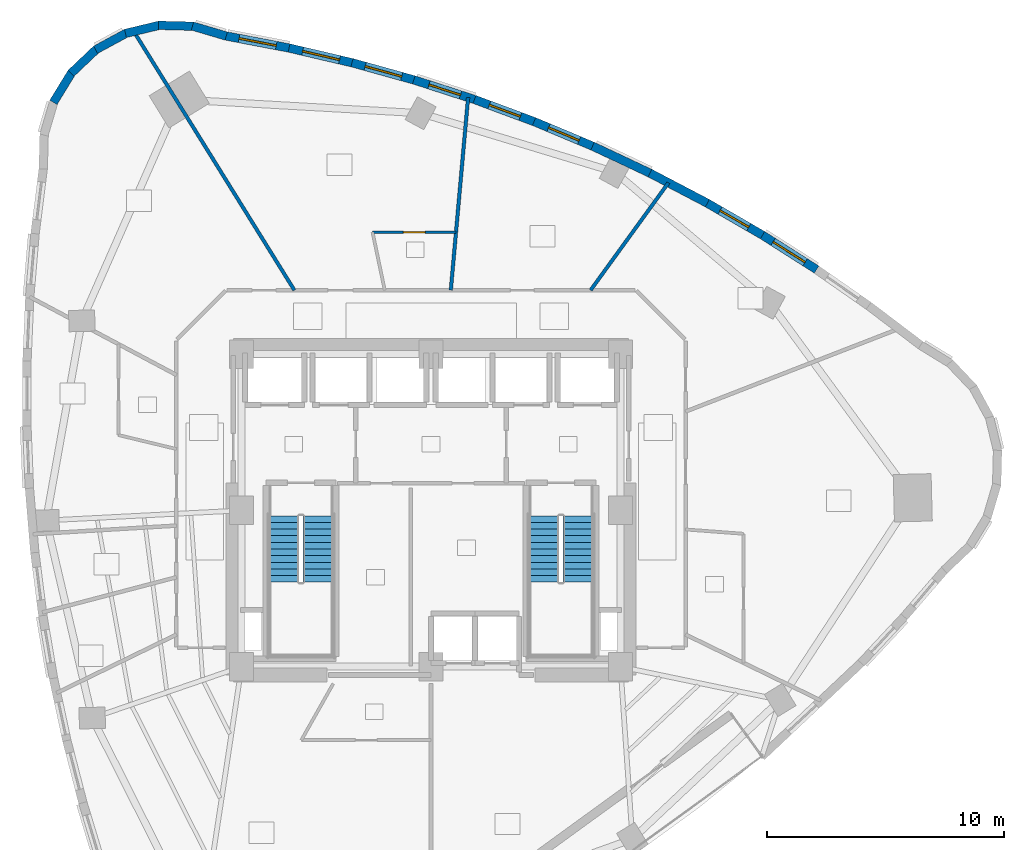
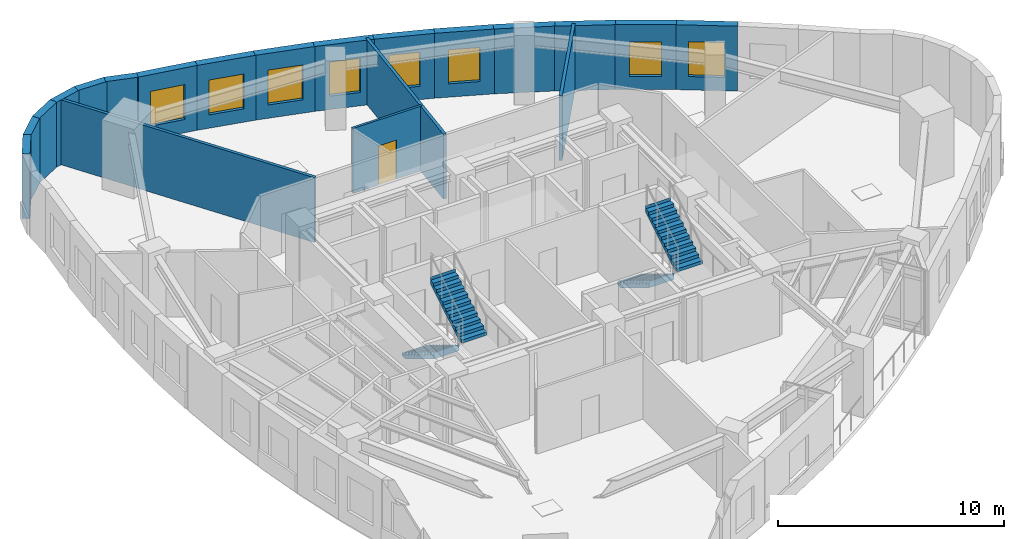
# One storey, part 8 of 11: 20 walls, 8 windows, 4 stair flights, 1 door, 9 openings, 2 elements without a shape of their own.
"""IFC4 building model written with IfcOpenShell, lengths in metres."""

from ifc_helpers import new_model, si_unit, direction, frame, frame_2d, origin, place, context, subcontext, project, spatial, polyline, rectangle, outline, extrude, material, layer, layer_set, type_object, element, fill, aggregate, save


model = new_model("IFC4")

# Units and contexts
model_context = context("Model", 3, precision=1e-05, world=origin(), true_north=direction((0.0, 1.0)))
body_context = subcontext(model_context, "Body", "Model", "MODEL_VIEW")
ifc_project = project(units=[si_unit("LENGTHUNIT", "METRE"), si_unit("AREAUNIT", "SQUARE_METRE"), si_unit("VOLUMEUNIT", "CUBIC_METRE"), si_unit("PLANEANGLEUNIT", "RADIAN"), si_unit("MASSUNIT", "GRAM", prefix="KILO")], contexts=[model_context])

# Site, building, storey
site_placement = place(None, origin())
site = spatial("IfcSite", under=ifc_project, at=site_placement, CompositionType="ELEMENT")
building_placement = place(site_placement, origin())
building = spatial("IfcBuilding", under=site, at=building_placement, Name="Ndelora Gate Hotel", CompositionType="ELEMENT")
storey_placement = place(building_placement, frame((0.0, 0.0, 146.0)))
storey = spatial("IfcBuildingStorey", under=building, at=storey_placement, Name="L36", CompositionType="ELEMENT", Elevation=146.0)

# Walls
ifc_material_1 = material(Name="Clay Brick Masonry", Category="masonry")
ifc_layer_1 = layer(ifc_material_1, 0.360107421875)
ifc_layer_set_1 = layer_set([ifc_layer_1], Name="Clay Brick Masonry")
wall_type_1 = type_object("IfcWallType", Name="WL-BRICK-360", PredefinedType="SOLIDWALL", material=ifc_layer_set_1)
for number, where, z_axis, x_axis, name in (
    (1, (-10.072998046875, 20.455078125, 0.0), (0.0, 0.0, 1.0), (0.95879313952, -0.284105113664, 0.0), "L36 Tower Brick Pier-and-Spandrel Wall TWR-1"),
    (2, (-11.509521484375, 20.486083984375, 0.0), (0.0, 0.0, 1.0), (0.999658678656, -0.026125202154, 0.0), "L36 Tower Brick Pier-and-Spandrel Wall TWR-2"),
):
    element("IfcWall", number, at=place(storey_placement, frame(where, z_axis=z_axis, x_axis=x_axis)), inside=storey, type_object=wall_type_1, Name=name, PredefinedType="SOLIDWALL", context=body_context, shape_type="SweptSolid", body=[
        extrude(rectangle(XDim=1.48583984375, YDim=0.360107421875, at=frame_2d((0.742919921875, 0.0))), origin(), (0.0, 0.0, 1.0), 3.5),
    ])
wall_1_placement = place(storey_placement, frame((-12.90478515625, 20.14453125, 0.0), z_axis=(0.0, 0.0, 1.0), x_axis=(0.972390285352, 0.233360521413, 0.0)))
element("IfcWall", 3, at=wall_1_placement, inside=storey, type_object=wall_type_1, Name="L36 Tower Brick Pier-and-Spandrel Wall TWR-3", PredefinedType="SOLIDWALL", context=body_context, shape_type="SweptSolid", body=[
    extrude(rectangle(XDim=1.485595703125, YDim=0.360107421875, at=frame_2d((0.74267578125, 0.0))), origin(), (0.0, 0.0, 1.0), 3.5),
])
wall_2_placement = place(storey_placement, frame((-14.164306640625, 19.453369140625, 0.0), z_axis=(0.0, 0.0, 1.0), x_axis=(0.87890460574, 0.476997582812, 0.0)))
element("IfcWall", 4, at=wall_2_placement, inside=storey, type_object=wall_type_1, Name="L36 Tower Brick Pier-and-Spandrel Wall TWR-4", PredefinedType="SOLIDWALL", context=body_context, shape_type="SweptSolid", body=[
    extrude(rectangle(XDim=1.48583984375, YDim=0.360107421875, at=frame_2d((0.742919921875, 0.0))), origin(), (0.0, 0.0, 1.0), 3.5),
])
wall_3_placement = place(storey_placement, frame((-15.201904296875, 18.459716796875, 0.0), z_axis=(0.0, 0.0, 1.0), x_axis=(0.725352183474, 0.688377955726, 0.0)))
element("IfcWall", 5, at=wall_3_placement, inside=storey, type_object=wall_type_1, Name="L36 Tower Brick Pier-and-Spandrel Wall TWR-5", PredefinedType="SOLIDWALL", context=body_context, shape_type="SweptSolid", body=[
    extrude(rectangle(XDim=1.485595703125, YDim=0.360107421875, at=frame_2d((0.74267578125, 0.0))), origin(), (0.0, 0.0, 1.0), 3.5),
])
wall_4_placement = place(storey_placement, frame((-15.947021484375, 17.2314453125, 0.0), z_axis=(0.0, 0.0, 1.0), x_axis=(0.522519673624, 0.852627228439, 0.0)))
element("IfcWall", 6, at=wall_4_placement, inside=storey, type_object=wall_type_1, Name="L36 Tower Brick Pier-and-Spandrel Wall TWR-6", PredefinedType="SOLIDWALL", context=body_context, shape_type="SweptSolid", body=[
    extrude(rectangle(XDim=1.48583984375, YDim=0.360107421875, at=frame_2d((0.742919921875, 0.0))), origin(), (0.0, 0.0, 1.0), 3.5),
])

# Wall, opening, window
wall_5_placement = place(storey_placement, frame((13.9580078125, 11.6513671875, 0.0), z_axis=(0.0, 0.0, 1.0), x_axis=(0.843759875161, -0.53672085209, 0.0)))
wall_5 = element("IfcWall", 7, at=wall_5_placement, inside=storey, type_object=wall_type_1, Name="L36 Tower Brick Pier-and-Spandrel Wall TWR-49", PredefinedType="SOLIDWALL", context=body_context, shape_type="SweptSolid", body=[
    extrude(rectangle(XDim=2.75830078125, YDim=0.360107421875, at=frame_2d((1.379150390625, 0.0))), origin(), (0.0, 0.0, 1.0), 3.5),
])
opening_1_placement = place(wall_5_placement, frame((0.5791015625, 0.0, 0.719970703125)))
opening_1 = element("IfcOpeningElement", 8, at=opening_1_placement, cuts=wall_5, Name="Opening W03", PredefinedType="OPENING", context=body_context, shape_type="SweptSolid", body=[
    extrude(rectangle(XDim=1.60009765625, YDim=1.8798828125, at=frame_2d((0.800048828125, 0.93994140625))), frame((0.0, 0.18994140625, 0.0), z_axis=(0.0, -1.0, 0.0), x_axis=(1.0, 0.0, 0.0)), (0.0, 0.0, 1.0), 0.380126953125),
])
ifc_material_2 = material(Name="Insulated Low-E Double Glazing in Bronze Aluminium Frame", Category="aluminium")
window_type_1 = type_object("IfcWindowType", Name="WN-CORN-2100", PartitioningType="SINGLE_PANEL", PredefinedType="WINDOW", material=ifc_material_2)
window_1_placement = place(opening_1_placement, origin())
window_1 = element("IfcWindow", 9, at=window_1_placement, inside=storey, type_object=window_type_1, Name="L36 Deep-Set Brick-Pier Window W03", OverallHeight=1.8798828125, OverallWidth=1.60009765625, PartitioningType="SINGLE_PANEL", PredefinedType="WINDOW", context=body_context, shape_type="SweptSolid", body=[
    extrude(rectangle(XDim=1.60009765625, YDim=1.8798828125, at=frame_2d((0.800048828125, 0.93994140625))), frame((0.0, 0.030029296875, 0.0), z_axis=(0.0, -1.0, 0.0), x_axis=(1.0, 0.0, 0.0)), (0.0, 0.0, 1.0), 0.06005859375),
])
fill(opening_1, window_1)

wall_6_placement = place(storey_placement, frame((11.6259765625, 13.000244140625, 0.0), z_axis=(0.0, 0.0, 1.0), x_axis=(0.86542019342, -0.501046793044, 0.0)))
wall_6 = element("IfcWall", 10, at=wall_6_placement, inside=storey, type_object=wall_type_1, Name="L36 Tower Brick Pier-and-Spandrel Wall TWR-50", PredefinedType="SOLIDWALL", context=body_context, shape_type="SweptSolid", body=[
    extrude(rectangle(XDim=2.74365234375, YDim=0.360107421875, at=frame_2d((1.371826171875, 0.0))), origin(), (0.0, 0.0, 1.0), 3.5),
])
opening_2_placement = place(wall_6_placement, frame((0.672119140625, 0.0, 0.719970703125)))
opening_2 = element("IfcOpeningElement", 11, at=opening_2_placement, cuts=wall_6, Name="Opening W02", PredefinedType="OPENING", context=body_context, shape_type="SweptSolid", body=[
    extrude(rectangle(XDim=1.39990234375, YDim=1.840087890625, at=frame_2d((0.699951171875, 0.919921875))), frame((0.0, 0.18994140625, 0.0), z_axis=(0.0, -1.0, 0.0), x_axis=(1.0, 0.0, 0.0)), (0.0, 0.0, 1.0), 0.380126953125),
])
window_type_2 = type_object("IfcWindowType", Name="WN-DEEP-1400", PartitioningType="SINGLE_PANEL", PredefinedType="WINDOW", material=ifc_material_2)
window_2_placement = place(opening_2_placement, origin())
window_2 = element("IfcWindow", 12, at=window_2_placement, inside=storey, type_object=window_type_2, Name="L36 Deep-Set Brick-Pier Window W02", OverallHeight=1.840087890625, OverallWidth=1.39990234375, PartitioningType="SINGLE_PANEL", PredefinedType="WINDOW", context=body_context, shape_type="SweptSolid", body=[
    extrude(rectangle(XDim=1.39990234375, YDim=1.840087890625, at=frame_2d((0.699951171875, 0.919921875))), frame((0.0, 0.030029296875, 0.0), z_axis=(0.0, -1.0, 0.0), x_axis=(1.0, 0.0, 0.0)), (0.0, 0.0, 1.0), 0.06005859375),
])
fill(opening_2, window_2)

# Walls
wall_7_placement = place(storey_placement, frame((9.24755859375, 14.2451171875, 0.0), z_axis=(0.0, 0.0, 1.0), x_axis=(0.885821049336, -0.464027012741, 0.0)))
element("IfcWall", 13, at=wall_7_placement, inside=storey, type_object=wall_type_1, Name="L36 Tower Brick Pier-and-Spandrel Wall TWR-51", PredefinedType="SOLIDWALL", context=body_context, shape_type="SweptSolid", body=[
    extrude(rectangle(XDim=2.734375, YDim=0.360107421875, at=frame_2d((1.3671875, 0.0))), origin(), (0.0, 0.0, 1.0), 3.5),
])
wall_8_placement = place(storey_placement, frame((6.82275390625, 15.3857421875, 0.0), z_axis=(0.0, 0.0, 1.0), x_axis=(0.904715296729, -0.426016703739, 0.0)))
element("IfcWall", 14, at=wall_8_placement, inside=storey, type_object=wall_type_1, Name="L36 Tower Brick Pier-and-Spandrel Wall TWR-52", PredefinedType="SOLIDWALL", context=body_context, shape_type="SweptSolid", body=[
    extrude(rectangle(XDim=2.7294921875, YDim=0.360107421875, at=frame_2d((1.36474609375, 0.0))), origin(), (0.0, 0.0, 1.0), 3.5),
])

# Wall, opening, window
wall_9_placement = place(storey_placement, frame((4.351806640625, 16.42236328125, 0.0), z_axis=(0.0, 0.0, 1.0), x_axis=(0.921993601294, -0.387205112534, 0.0)))
wall_9 = element("IfcWall", 15, at=wall_9_placement, inside=storey, type_object=wall_type_1, Name="L36 Tower Brick Pier-and-Spandrel Wall TWR-53", PredefinedType="SOLIDWALL", context=body_context, shape_type="SweptSolid", body=[
    extrude(rectangle(XDim=2.7294921875, YDim=0.360107421875, at=frame_2d((1.36474609375, 0.0))), origin(), (0.0, 0.0, 1.0), 3.5),
])
opening_3_placement = place(wall_9_placement, frame((0.664794921875, 0.0, 0.719970703125)))
opening_3 = element("IfcOpeningElement", 16, at=opening_3_placement, cuts=wall_9, Name="Opening W02", PredefinedType="OPENING", context=body_context, shape_type="SweptSolid", body=[
    extrude(rectangle(XDim=1.39990234375, YDim=1.840087890625, at=frame_2d((0.699951171875, 0.919921875))), frame((0.0, 0.18994140625, 0.0), z_axis=(0.0, -1.0, 0.0), x_axis=(1.0, 0.0, 0.0)), (0.0, 0.0, 1.0), 0.380126953125),
])
window_3_placement = place(opening_3_placement, origin())
window_3 = element("IfcWindow", 17, at=window_3_placement, inside=storey, type_object=window_type_2, Name="L36 Deep-Set Brick-Pier Window W02", OverallHeight=1.840087890625, OverallWidth=1.39990234375, PartitioningType="SINGLE_PANEL", PredefinedType="WINDOW", context=body_context, shape_type="SweptSolid", body=[
    extrude(rectangle(XDim=1.39990234375, YDim=1.840087890625, at=frame_2d((0.699951171875, 0.919921875))), frame((0.0, 0.030029296875, 0.0), z_axis=(0.0, -1.0, 0.0), x_axis=(1.0, 0.0, 0.0)), (0.0, 0.0, 1.0), 0.06005859375),
])
fill(opening_3, window_3)

wall_10_placement = place(storey_placement, frame((1.834716796875, 17.35498046875, 0.0), z_axis=(0.0, 0.0, 1.0), x_axis=(0.937570914704, -0.347794163121, 0.0)))
wall_10 = element("IfcWall", 18, at=wall_10_placement, inside=storey, type_object=wall_type_1, Name="L36 Tower Brick Pier-and-Spandrel Wall TWR-54", PredefinedType="SOLIDWALL", context=body_context, shape_type="SweptSolid", body=[
    extrude(rectangle(XDim=2.734130859375, YDim=0.360107421875, at=frame_2d((1.3671875, 0.0))), origin(), (0.0, 0.0, 1.0), 3.5),
])
opening_4_placement = place(wall_10_placement, frame((0.667236328125, 0.0, 0.719970703125)))
opening_4 = element("IfcOpeningElement", 19, at=opening_4_placement, cuts=wall_10, Name="Opening W02", PredefinedType="OPENING", context=body_context, shape_type="SweptSolid", body=[
    extrude(rectangle(XDim=1.39990234375, YDim=1.840087890625, at=frame_2d((0.699951171875, 0.919921875))), frame((0.0, 0.18994140625, 0.0), z_axis=(0.0, -1.0, 0.0), x_axis=(1.0, 0.0, 0.0)), (0.0, 0.0, 1.0), 0.380126953125),
])
window_4_placement = place(opening_4_placement, origin())
window_4 = element("IfcWindow", 20, at=window_4_placement, inside=storey, type_object=window_type_2, Name="L36 Deep-Set Brick-Pier Window W02", OverallHeight=1.840087890625, OverallWidth=1.39990234375, PartitioningType="SINGLE_PANEL", PredefinedType="WINDOW", context=body_context, shape_type="SweptSolid", body=[
    extrude(rectangle(XDim=1.39990234375, YDim=1.840087890625, at=frame_2d((0.699951171875, 0.919921875))), frame((0.0, 0.030029296875, 0.0), z_axis=(0.0, -1.0, 0.0), x_axis=(1.0, 0.0, 0.0)), (0.0, 0.0, 1.0), 0.06005859375),
])
fill(opening_4, window_4)

wall_11_placement = place(storey_placement, frame((-0.728759765625, 18.18359375, 0.0), z_axis=(0.0, 0.0, 1.0), x_axis=(0.951405423372, -0.307941098877, 0.0)))
wall_11 = element("IfcWall", 21, at=wall_11_placement, inside=storey, type_object=wall_type_1, Name="L36 Tower Brick Pier-and-Spandrel Wall TWR-55", PredefinedType="SOLIDWALL", context=body_context, shape_type="SweptSolid", body=[
    extrude(rectangle(XDim=2.743896484375, YDim=0.360107421875, at=frame_2d((1.3720703125, 0.0))), origin(), (0.0, 0.0, 1.0), 3.5),
])
opening_5_placement = place(wall_11_placement, frame((0.672119140625, 0.0, 0.719970703125)))
opening_5 = element("IfcOpeningElement", 22, at=opening_5_placement, cuts=wall_11, Name="Opening W02", PredefinedType="OPENING", context=body_context, shape_type="SweptSolid", body=[
    extrude(rectangle(XDim=1.39990234375, YDim=1.840087890625, at=frame_2d((0.699951171875, 0.919921875))), frame((0.0, 0.18994140625, 0.0), z_axis=(0.0, -1.0, 0.0), x_axis=(1.0, 0.0, 0.0)), (0.0, 0.0, 1.0), 0.380126953125),
])
window_5_placement = place(opening_5_placement, origin())
window_5 = element("IfcWindow", 23, at=window_5_placement, inside=storey, type_object=window_type_2, Name="L36 Deep-Set Brick-Pier Window W02", OverallHeight=1.840087890625, OverallWidth=1.39990234375, PartitioningType="SINGLE_PANEL", PredefinedType="WINDOW", context=body_context, shape_type="SweptSolid", body=[
    extrude(rectangle(XDim=1.39990234375, YDim=1.840087890625, at=frame_2d((0.699951171875, 0.919921875))), frame((0.0, 0.030029296875, 0.0), z_axis=(0.0, -1.0, 0.0), x_axis=(1.0, 0.0, 0.0)), (0.0, 0.0, 1.0), 0.06005859375),
])
fill(opening_5, window_5)

wall_12_placement = place(storey_placement, frame((-3.338623046875, 18.907958984375, 0.0), z_axis=(0.0, 0.0, 1.0), x_axis=(0.963469710564, -0.267817319876, 0.0)))
wall_12 = element("IfcWall", 24, at=wall_12_placement, inside=storey, type_object=wall_type_1, Name="L36 Tower Brick Pier-and-Spandrel Wall TWR-56", PredefinedType="SOLIDWALL", context=body_context, shape_type="SweptSolid", body=[
    extrude(rectangle(XDim=2.758544921875, YDim=0.360107421875, at=frame_2d((1.37939453125, 0.0))), origin(), (0.0, 0.0, 1.0), 3.5),
])
opening_6_placement = place(wall_12_placement, frame((0.5791015625, 0.0, 0.719970703125)))
opening_6 = element("IfcOpeningElement", 25, at=opening_6_placement, cuts=wall_12, Name="Opening W01", PredefinedType="OPENING", context=body_context, shape_type="SweptSolid", body=[
    extrude(rectangle(XDim=1.60009765625, YDim=1.8798828125, at=frame_2d((0.800048828125, 0.93994140625))), frame((0.0, 0.18994140625, 0.0), z_axis=(0.0, -1.0, 0.0), x_axis=(1.0, 0.0, 0.0)), (0.0, 0.0, 1.0), 0.380126953125),
])
window_type_3 = type_object("IfcWindowType", Name="WN-DEEP-1600", PartitioningType="SINGLE_PANEL", PredefinedType="WINDOW", material=ifc_material_2)
window_6_placement = place(opening_6_placement, origin())
window_6 = element("IfcWindow", 26, at=window_6_placement, inside=storey, type_object=window_type_3, Name="L36 Deep-Set Brick-Pier Window W01", OverallHeight=1.8798828125, OverallWidth=1.60009765625, PartitioningType="SINGLE_PANEL", PredefinedType="WINDOW", context=body_context, shape_type="SweptSolid", body=[
    extrude(rectangle(XDim=1.60009765625, YDim=1.8798828125, at=frame_2d((0.800048828125, 0.93994140625))), frame((0.0, 0.030029296875, 0.0), z_axis=(0.0, -1.0, 0.0), x_axis=(1.0, 0.0, 0.0)), (0.0, 0.0, 1.0), 0.06005859375),
])
fill(opening_6, window_6)

wall_13_placement = place(storey_placement, frame((-5.99462890625, 19.5283203125, 0.0), z_axis=(0.0, 0.0, 1.0), x_axis=(0.973697722737, -0.227843684873, 0.0)))
wall_13 = element("IfcWall", 27, at=wall_13_placement, inside=storey, type_object=wall_type_1, Name="L36 Tower Brick Pier-and-Spandrel Wall TWR-57", PredefinedType="SOLIDWALL", context=body_context, shape_type="SweptSolid", body=[
    extrude(rectangle(XDim=2.77734375, YDim=0.360107421875, at=frame_2d((1.388671875, 0.0))), origin(), (0.0, 0.0, 1.0), 3.5),
])
opening_7_placement = place(wall_13_placement, frame((0.5888671875, 0.0, 0.719970703125)))
opening_7 = element("IfcOpeningElement", 28, at=opening_7_placement, cuts=wall_13, Name="Opening W03", PredefinedType="OPENING", context=body_context, shape_type="SweptSolid", body=[
    extrude(rectangle(XDim=1.60009765625, YDim=1.8798828125, at=frame_2d((0.800048828125, 0.93994140625))), frame((0.0, 0.18994140625, 0.0), z_axis=(0.0, -1.0, 0.0), x_axis=(1.0, 0.0, 0.0)), (0.0, 0.0, 1.0), 0.380126953125),
])
window_7_placement = place(opening_7_placement, origin())
window_7 = element("IfcWindow", 29, at=window_7_placement, inside=storey, type_object=window_type_1, Name="L36 Deep-Set Brick-Pier Window W03", OverallHeight=1.8798828125, OverallWidth=1.60009765625, PartitioningType="SINGLE_PANEL", PredefinedType="WINDOW", context=body_context, shape_type="SweptSolid", body=[
    extrude(rectangle(XDim=1.60009765625, YDim=1.8798828125, at=frame_2d((0.800048828125, 0.93994140625))), frame((0.0, 0.030029296875, 0.0), z_axis=(0.0, -1.0, 0.0), x_axis=(1.0, 0.0, 0.0)), (0.0, 0.0, 1.0), 0.06005859375),
])
fill(opening_7, window_7)

wall_14_placement = place(storey_placement, frame((-8.697021484375, 20.044921875, 0.0), z_axis=(0.0, 0.0, 1.0), x_axis=(0.982153479192, -0.188081214668, 0.0)))
wall_14 = element("IfcWall", 30, at=wall_14_placement, inside=storey, type_object=wall_type_1, Name="L36 Tower Brick Pier-and-Spandrel Wall TWR-58", PredefinedType="SOLIDWALL", context=body_context, shape_type="SweptSolid", body=[
    extrude(rectangle(XDim=2.80126953125, YDim=0.360107421875, at=frame_2d((1.400634765625, 0.0))), origin(), (0.0, 0.0, 1.0), 3.5),
])
opening_8_placement = place(wall_14_placement, frame((0.6005859375, 0.0, 0.719970703125)))
opening_8 = element("IfcOpeningElement", 31, at=opening_8_placement, cuts=wall_14, Name="Opening W01", PredefinedType="OPENING", context=body_context, shape_type="SweptSolid", body=[
    extrude(rectangle(XDim=1.60009765625, YDim=1.8798828125, at=frame_2d((0.800048828125, 0.93994140625))), frame((0.0, 0.18994140625, 0.0), z_axis=(0.0, -1.0, 0.0), x_axis=(1.0, 0.0, 0.0)), (0.0, 0.0, 1.0), 0.380126953125),
])
window_8_placement = place(opening_8_placement, origin())
window_8 = element("IfcWindow", 32, at=window_8_placement, inside=storey, type_object=window_type_3, Name="L36 Deep-Set Brick-Pier Window W01", OverallHeight=1.8798828125, OverallWidth=1.60009765625, PartitioningType="SINGLE_PANEL", PredefinedType="WINDOW", context=body_context, shape_type="SweptSolid", body=[
    extrude(rectangle(XDim=1.60009765625, YDim=1.8798828125, at=frame_2d((0.800048828125, 0.93994140625))), frame((0.0, 0.030029296875, 0.0), z_axis=(0.0, -1.0, 0.0), x_axis=(1.0, 0.0, 0.0)), (0.0, 0.0, 1.0), 0.06005859375),
])
fill(opening_8, window_8)

# Walls
ifc_material_3 = material(Name="Fire-Rated Gypsum Stud Partition", Category="gypsum")
ifc_layer_2 = layer(ifc_material_3, 0.14990234375)
ifc_layer_set_2 = layer_set([ifc_layer_2], Name="Fire-Rated Gypsum Stud Partition")
wall_type_2 = type_object("IfcWallType", Name="WL-PART-150", PredefinedType="PARTITIONING", material=ifc_layer_set_2)
wall_15_placement = place(storey_placement, frame((6.7392578125, 9.300048828125, 0.0), z_axis=(0.0, 0.0, 1.0), x_axis=(0.586776904719, 0.809748642536, 0.0)))
element("IfcWall", 33, at=wall_15_placement, inside=storey, type_object=wall_type_2, Name="L36 Interior Wall IW-5", PredefinedType="PARTITIONING", context=body_context, shape_type="SweptSolid", body=[
    extrude(rectangle(XDim=5.602783203125, YDim=0.14990234375, at=frame_2d((2.80126953125, 0.0))), origin(), (0.0, 0.0, 1.0), 3.5),
])
wall_16_placement = place(storey_placement, frame((0.83544921875, 9.300048828125, 0.0), z_axis=(0.0, 0.0, 1.0), x_axis=(0.089461102412, 0.995990316798, 0.0)))
element("IfcWall", 34, at=wall_16_placement, inside=storey, type_object=wall_type_2, Name="L36 Interior Wall IW-5", PredefinedType="PARTITIONING", context=body_context, shape_type="SweptSolid", body=[
    extrude(rectangle(XDim=8.17333984375, YDim=0.14990234375, at=frame_2d((4.086669921875, 0.0))), origin(), (0.0, 0.0, 1.0), 3.5),
])
wall_17_placement = place(storey_placement, frame((-5.771484375, 9.300048828125, 0.0), z_axis=(0.0, 0.0, 1.0), x_axis=(-0.527300490904, 0.849678875983, 0.0)))
element("IfcWall", 35, at=wall_17_placement, inside=storey, type_object=wall_type_2, Name="L36 Interior Wall IW-5", PredefinedType="PARTITIONING", context=body_context, shape_type="SweptSolid", body=[
    extrude(rectangle(XDim=12.862060546875, YDim=0.14990234375, at=frame_2d((6.43115234375, 0.0))), origin(), (0.0, 0.0, 1.0), 3.5),
])

# Wall, opening, door
ifc_material_4 = material(Name="Moisture-Resistant Bathroom Tile Partition", Category="gypsum")
ifc_layer_3 = layer(ifc_material_4, 0.1201171875)
ifc_layer_set_3 = layer_set([ifc_layer_3], Name="Moisture-Resistant Bathroom Tile Partition")
wall_type_3 = type_object("IfcWallType", Name="WL-WET-120", PredefinedType="PARTITIONING", material=ifc_layer_set_3)
wall_18_placement = place(storey_placement, frame((-2.468994140625, 11.75, 0.0), z_axis=(0.0, 0.0, 1.0), x_axis=(1.0, 0.0, 0.0)))
wall_18 = element("IfcWall", 36, at=wall_18_placement, inside=storey, type_object=wall_type_3, Name="L36 Interior Wall IW-7", PredefinedType="PARTITIONING", context=body_context, shape_type="SweptSolid", body=[
    extrude(rectangle(XDim=3.5244140625, YDim=0.1201171875, at=frame_2d((1.76220703125, 0.0))), origin(), (0.0, 0.0, 1.0), 3.5),
])
opening_9_placement = place(wall_18_placement, frame((1.30224609375, 0.0, 0.0)))
opening_9 = element("IfcOpeningElement", 37, at=opening_9_placement, cuts=wall_18, Name="Opening D03", PredefinedType="OPENING", context=body_context, shape_type="SweptSolid", body=[
    extrude(rectangle(XDim=0.919921875, YDim=2.10009765625, at=frame_2d((0.4599609375, 1.050048828125))), frame((0.0, 0.070068359375, 0.0), z_axis=(0.0, -1.0, 0.0), x_axis=(1.0, 0.0, 0.0)), (0.0, 0.0, 1.0), 0.14013671875),
])
ifc_material_5 = material(Name="Moisture-Resistant Hardwood En-Suite Door", Category="wood")
door_type = type_object("IfcDoorType", Name="DR-BATH-920", OperationType="SINGLE_SWING_LEFT", PredefinedType="DOOR", material=ifc_material_5)
door_placement = place(opening_9_placement, origin())
door = element("IfcDoor", 38, at=door_placement, inside=storey, type_object=door_type, Name="L36 En-suite Bathroom 3903 Door", OperationType="SINGLE_SWING_RIGHT", OverallHeight=2.10009765625, OverallWidth=0.919921875, PredefinedType="DOOR", context=body_context, shape_type="SweptSolid", body=[
    extrude(rectangle(XDim=0.919921875, YDim=2.10009765625, at=frame_2d((0.4599609375, 1.050048828125))), frame((0.0, 0.02490234375, 0.0), z_axis=(0.0, -1.0, 0.0), x_axis=(1.0, 0.0, 0.0)), (0.0, 0.0, 1.0), 0.050048828125),
])
fill(opening_9, door)

# Stair, stair flights
ifc_material_6 = material(Name="Precast concrete C40/50", Category="concrete")
stair_type = type_object("IfcStairType", Name="STR-DOG-CORE", PredefinedType="HALF_TURN_STAIR", material=ifc_material_6)
stair_1_placement = place(storey_placement, origin())
stair_1 = element("IfcStair", 39, at=stair_1_placement, inside=storey, type_object=stair_type, Name="L36 Protected Core Exit Stair ST4", PredefinedType="HALF_TURN_STAIR")
stair_flight_type = type_object("IfcStairFlightType", Name="STF-PRECAST", PredefinedType="STRAIGHT", material=ifc_material_6)
stair_flight_1_placement = place(storey_placement, frame((-6.2099609375, -0.22998046875, 0.0), z_axis=(0.0, 0.0, 1.0), x_axis=(0.0, -1.0, 0.0)))
stair_flight_1 = element("IfcStairFlight", 40, at=stair_flight_1_placement, type_object=stair_flight_type, Name="ST4 flight 1", NumberOfRisers=11, NumberOfTreads=10, PredefinedType="STRAIGHT", RiserHeight=0.170454545, TreadLength=0.28, context=body_context, shape_type="SweptSolid", body=[
    extrude(outline(polyline([(-0.00048828125, 0.0), (-0.00048828125, 0.17041015625), (0.0, 0.17041015625), (0.280029296875, 0.17041015625), (0.280029296875, 0.3408203125), (0.56005859375, 0.3408203125), (0.56005859375, 0.511474609375), (0.840087890625, 0.511474609375), (0.840087890625, 0.681884765625), (1.1201171875, 0.681884765625), (1.1201171875, 0.852294921875), (1.39990234375, 0.852294921875), (1.39990234375, 1.022705078125), (1.679931640625, 1.022705078125), (1.679931640625, 1.193115234375), (1.9599609375, 1.193115234375), (1.9599609375, 1.363525390625), (2.239990234375, 1.363525390625), (2.239990234375, 1.5341796875), (2.52001953125, 1.5341796875), (2.52001953125, 1.70458984375), (2.800048828125, 1.70458984375), (2.800048828125, 1.875), (2.800537109375, 1.875), (2.800537109375, 1.695068359375), (2.800048828125, 1.529052734375), (0.288330078125, 0.0), (-0.00048828125, 0.0)])), frame((0.0, 0.64013671875, 0.0), z_axis=(0.0, -1.0, 0.0), x_axis=(1.0, 0.0, 0.0)), (0.0, 0.0, 1.0), 1.280029296875),
])
stair_flight_2_placement = place(storey_placement, frame((-4.77001953125, -3.030029296875, 1.875), z_axis=(0.0, 0.0, 1.0), x_axis=(0.0, 1.0, 0.0)))
stair_flight_2 = element("IfcStairFlight", 41, at=stair_flight_2_placement, type_object=stair_flight_type, Name="ST4 flight 2", NumberOfRisers=11, NumberOfTreads=10, PredefinedType="STRAIGHT", RiserHeight=0.170454545, TreadLength=0.28, context=body_context, shape_type="SweptSolid", body=[
    extrude(outline(polyline([(-0.00048828125, 0.0), (-0.00048828125, 0.17041015625), (0.0, 0.17041015625), (0.280029296875, 0.17041015625), (0.280029296875, 0.3408203125), (0.56005859375, 0.3408203125), (0.56005859375, 0.511474609375), (0.840087890625, 0.511474609375), (0.840087890625, 0.681884765625), (1.1201171875, 0.681884765625), (1.1201171875, 0.852294921875), (1.39990234375, 0.852294921875), (1.39990234375, 1.022705078125), (1.679931640625, 1.022705078125), (1.679931640625, 1.193115234375), (1.9599609375, 1.193115234375), (1.9599609375, 1.363525390625), (2.239990234375, 1.363525390625), (2.239990234375, 1.5341796875), (2.52001953125, 1.5341796875), (2.52001953125, 1.70458984375), (2.800048828125, 1.70458984375), (2.800048828125, 1.875), (2.800537109375, 1.875), (2.800537109375, 1.695068359375), (2.800048828125, 1.529052734375), (0.288330078125, 0.0), (-0.00048828125, 0.0)])), frame((0.0, 0.64013671875, 0.0), z_axis=(0.0, -1.0, 0.0), x_axis=(1.0, 0.0, 0.0)), (0.0, 0.0, 1.0), 1.280029296875),
])
aggregate(stair_1, [stair_flight_1, stair_flight_2])

stair_2_placement = place(storey_placement, origin())
stair_2 = element("IfcStair", 42, at=stair_2_placement, inside=storey, type_object=stair_type, Name="L36 Protected Core Exit Stair ST5", PredefinedType="HALF_TURN_STAIR")
stair_flight_3_placement = place(storey_placement, frame((4.77001953125, -0.22998046875, 0.0), z_axis=(0.0, 0.0, 1.0), x_axis=(0.0, -1.0, 0.0)))
stair_flight_3 = element("IfcStairFlight", 43, at=stair_flight_3_placement, type_object=stair_flight_type, Name="ST5 flight 1", NumberOfRisers=11, NumberOfTreads=10, PredefinedType="STRAIGHT", RiserHeight=0.170454545, TreadLength=0.28, context=body_context, shape_type="SweptSolid", body=[
    extrude(outline(polyline([(-0.00048828125, 0.0), (-0.00048828125, 0.17041015625), (0.0, 0.17041015625), (0.280029296875, 0.17041015625), (0.280029296875, 0.3408203125), (0.56005859375, 0.3408203125), (0.56005859375, 0.511474609375), (0.840087890625, 0.511474609375), (0.840087890625, 0.681884765625), (1.1201171875, 0.681884765625), (1.1201171875, 0.852294921875), (1.39990234375, 0.852294921875), (1.39990234375, 1.022705078125), (1.679931640625, 1.022705078125), (1.679931640625, 1.193115234375), (1.9599609375, 1.193115234375), (1.9599609375, 1.363525390625), (2.239990234375, 1.363525390625), (2.239990234375, 1.5341796875), (2.52001953125, 1.5341796875), (2.52001953125, 1.70458984375), (2.800048828125, 1.70458984375), (2.800048828125, 1.875), (2.800537109375, 1.875), (2.800537109375, 1.695068359375), (2.800048828125, 1.529052734375), (0.288330078125, 0.0), (-0.00048828125, 0.0)])), frame((0.0, 0.64013671875, 0.0), z_axis=(0.0, -1.0, 0.0), x_axis=(1.0, 0.0, 0.0)), (0.0, 0.0, 1.0), 1.280029296875),
])
stair_flight_4_placement = place(storey_placement, frame((6.2099609375, -3.030029296875, 1.875), z_axis=(0.0, 0.0, 1.0), x_axis=(0.0, 1.0, 0.0)))
stair_flight_4 = element("IfcStairFlight", 44, at=stair_flight_4_placement, type_object=stair_flight_type, Name="ST5 flight 2", NumberOfRisers=11, NumberOfTreads=10, PredefinedType="STRAIGHT", RiserHeight=0.170454545, TreadLength=0.28, context=body_context, shape_type="SweptSolid", body=[
    extrude(outline(polyline([(-0.00048828125, 0.0), (-0.00048828125, 0.17041015625), (0.0, 0.17041015625), (0.280029296875, 0.17041015625), (0.280029296875, 0.3408203125), (0.56005859375, 0.3408203125), (0.56005859375, 0.511474609375), (0.840087890625, 0.511474609375), (0.840087890625, 0.681884765625), (1.1201171875, 0.681884765625), (1.1201171875, 0.852294921875), (1.39990234375, 0.852294921875), (1.39990234375, 1.022705078125), (1.679931640625, 1.022705078125), (1.679931640625, 1.193115234375), (1.9599609375, 1.193115234375), (1.9599609375, 1.363525390625), (2.239990234375, 1.363525390625), (2.239990234375, 1.5341796875), (2.52001953125, 1.5341796875), (2.52001953125, 1.70458984375), (2.800048828125, 1.70458984375), (2.800048828125, 1.875), (2.800537109375, 1.875), (2.800537109375, 1.695068359375), (2.800048828125, 1.529052734375), (0.288330078125, 0.0), (-0.00048828125, 0.0)])), frame((0.0, 0.64013671875, 0.0), z_axis=(0.0, -1.0, 0.0), x_axis=(1.0, 0.0, 0.0)), (0.0, 0.0, 1.0), 1.280029296875),
])
aggregate(stair_2, [stair_flight_3, stair_flight_4])

save(model, "model.ifc")
